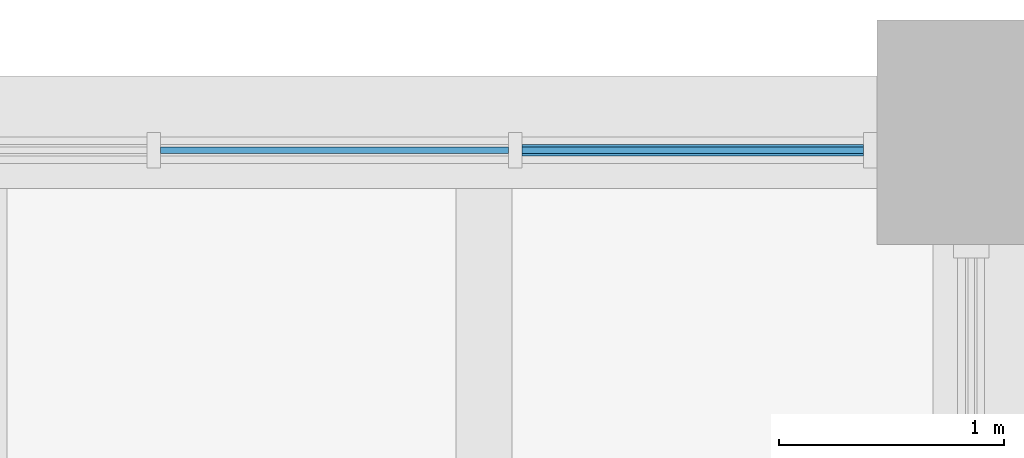
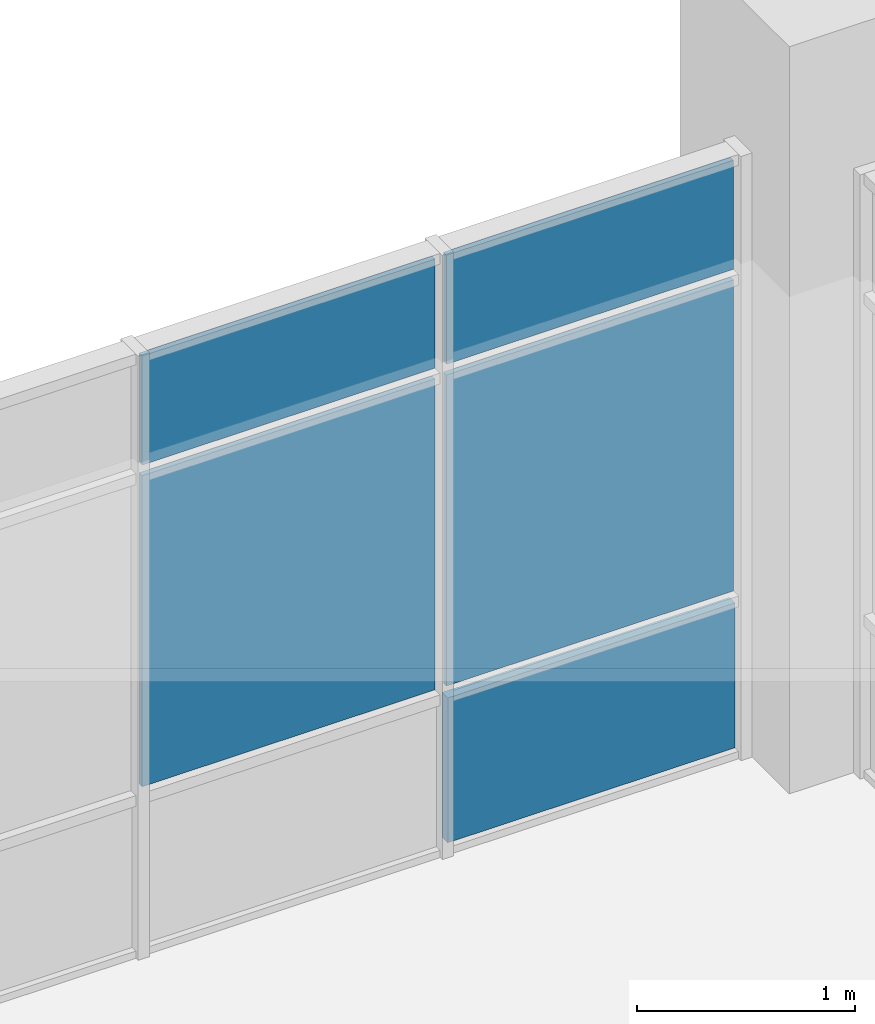
# One storey, part 40 of 74: 5 plates, 1 element without a shape of its own.
"""IFC4 building model written with IfcOpenShell, lengths in metres."""

import ifcopenshell
import ifcopenshell.guid

model = None  # the IFC model being written
_history = None  # IfcOwnerHistory: only IFC2X3 demands one
_inside = {}  # id of a spatial element -> (the spatial element, [elements in it])
_under = {}  # id of a project, library or spatial element -> (it, [spatial elements below it])
_declared = {}  # id of a project -> (the project, [libraries it declares])
_typed = {}  # id of a type object -> (the type object, [elements of that type])
_made_of = {}  # id of a material, layer set ... -> (it, [elements and type objects made of it])


def new_model(schema):
    """Start an empty IFC model of exactly this schema.

    Asked for "IFC4X3", IfcOpenShell would pick the latest addendum, in which some entities
    have other attributes; the version numbers below select the first issue.
    IFC2X3 requires an IfcOwnerHistory on every rooted entity: one is made here for all.
    """
    global model, _history
    if schema == "IFC4X3":
        model = ifcopenshell.file(schema_version=(4, 3, 0, 0))
    else:
        model = ifcopenshell.file(schema=schema)
    _inside.clear()
    _under.clear()
    _declared.clear()
    _typed.clear()
    _made_of.clear()
    _history = None
    if model.schema == "IFC2X3":
        org = make("IfcOrganization", Name="unknown")
        user = make(
            "IfcPersonAndOrganization",
            ThePerson=make("IfcPerson", FamilyName="unknown"),
            TheOrganization=org,
        )
        app = make(
            "IfcApplication",
            ApplicationDeveloper=org,
            Version="unknown",
            ApplicationFullName="unknown",
            ApplicationIdentifier="unknown",
        )
        _history = make(
            "IfcOwnerHistory",
            OwningUser=user,
            OwningApplication=app,
            ChangeAction="ADDED",
            CreationDate=0,
        )
    return model


def make(cls, **values):
    """One entity of the class cls with the attributes given. An attribute that is None is left unset."""
    return model.create_entity(
        cls, **{name: value for name, value in values.items() if value is not None}
    )


def rooted(cls, **values):
    """An entity with a GlobalId (a new one), such as an element, a storey or a relation."""
    return make(cls, GlobalId=ifcopenshell.guid.new(), OwnerHistory=_history, **values)


def si_unit(unit_type, name, prefix=None):
    """IfcSIUnit, for example si_unit("LENGTHUNIT", "METRE", prefix="MILLI")."""
    return make("IfcSIUnit", UnitType=unit_type, Prefix=prefix, Name=name)


def assignment(units):
    """IfcUnitAssignment: the units of a project."""
    return None if units is None else make("IfcUnitAssignment", Units=units)


def point(xyz):
    """IfcCartesianPoint."""
    return None if xyz is None else make("IfcCartesianPoint", Coordinates=xyz)


def direction(xyz):
    """IfcDirection."""
    return None if xyz is None else make("IfcDirection", DirectionRatios=xyz)


def frame(location, z_axis=None, x_axis=None):
    """IfcAxis2Placement3D, a coordinate frame: its origin and axes. An axis left out is left unset."""
    return make(
        "IfcAxis2Placement3D",
        Location=point(location),
        Axis=direction(z_axis),
        RefDirection=direction(x_axis),
    )


def frame_2d(location, x_axis=None):
    """IfcAxis2Placement2D, a coordinate frame in the plane: its origin and x axis."""
    return make(
        "IfcAxis2Placement2D", Location=point(location), RefDirection=direction(x_axis)
    )


def origin():
    """The frame at (0, 0, 0) with its axes left unset."""
    return frame((0.0, 0.0, 0.0))


def origin_2d():
    """The frame at (0, 0) in the plane with its x axis left unset."""
    return frame_2d((0.0, 0.0))


def place(relative_to, where):
    """IfcLocalPlacement: puts the frame where relative to a parent placement (None: the world)."""
    return make(
        "IfcLocalPlacement", PlacementRelTo=relative_to, RelativePlacement=where
    )


def context(
    kind, dimensions, precision=None, world=None, true_north=None, identifier=None
):
    """IfcGeometricRepresentationContext, for example the 3D "Model" context."""
    return make(
        "IfcGeometricRepresentationContext",
        ContextIdentifier=identifier,
        ContextType=kind,
        CoordinateSpaceDimension=dimensions,
        Precision=precision,
        WorldCoordinateSystem=world,
        TrueNorth=true_north,
    )


def subcontext(parent, identifier, kind, view, scale=None):
    """IfcGeometricRepresentationSubContext, for example "Body" below "Model"."""
    return make(
        "IfcGeometricRepresentationSubContext",
        ContextIdentifier=identifier,
        ContextType=kind,
        ParentContext=parent,
        TargetScale=scale,
        TargetView=view,
    )


def project(units=None, contexts=None):
    """IfcProject with its units and contexts."""
    return rooted(
        "IfcProject",
        Name="project",
        RepresentationContexts=contexts,
        UnitsInContext=assignment(units),
    )


def spatial(cls, under=None, at=None, **own):
    """A site, building, storey or space (cls), placed at a placement, below another one or the project."""
    s = rooted(cls, ObjectPlacement=at, **own)
    if under is not None:
        _under.setdefault(under.id(), (under, []))[1].append(s)
    return s


def profile(cls, at=None, kind="AREA", **sizes):
    """A parametric profile (cls). Its sizes go by their IFC names, for example OverallWidth=200.0."""
    return make(cls, ProfileType=kind, Position=at, **sizes)


def rectangle(**sizes):
    """IfcRectangleProfileDef."""
    return profile("IfcRectangleProfileDef", **sizes)


def extrude(swept, where, along, depth):
    """IfcExtrudedAreaSolid: the profile swept, set in the frame where, extruded along a direction by depth."""
    return make(
        "IfcExtrudedAreaSolid",
        SweptArea=swept,
        Position=where,
        ExtrudedDirection=direction(along),
        Depth=depth,
    )


def shape(context_of_items, identifier, shape_type, items):
    """IfcShapeRepresentation: the items that make up one representation, for example the "Body"."""
    return make(
        "IfcShapeRepresentation",
        ContextOfItems=context_of_items,
        RepresentationIdentifier=identifier,
        RepresentationType=shape_type,
        Items=items,
    )


def material(Name=None, Category=None):
    """IfcMaterial."""
    return make("IfcMaterial", Name=Name, Category=Category)


def layer(
    of_material, thickness, ventilated=None, Name=None, Category=None, Priority=None
):
    """IfcMaterialLayer: one layer of a wall or slab, of a material (None: an air gap)."""
    return make(
        "IfcMaterialLayer",
        Material=of_material,
        LayerThickness=thickness,
        IsVentilated=ventilated,
        Name=Name,
        Category=Category,
        Priority=Priority,
    )


def layer_set(layers, Name=None):
    """IfcMaterialLayerSet."""
    return make("IfcMaterialLayerSet", MaterialLayers=layers, LayerSetName=Name)


def made_of(thing, what):
    """Note that an element or type object is made of a material, layer set ...; save() writes the relation."""
    if what is not None:
        _made_of.setdefault(what.id(), (what, []))[1].append(thing)
    return thing


def type_object(cls, material=None, **own):
    """A type object (cls), such as IfcWallType, which elements share."""
    return made_of(rooted(cls, **own), material)


def element(
    cls,
    number,
    at=None,
    inside=None,
    cuts=None,
    type_object=None,
    material=None,
    context=None,
    identifier="Body",
    shape_type=None,
    held_by="IfcProductDefinitionShape",
    body=None,
    shapes=None,
    **own,
):
    """One element of the class cls, such as IfcWall. Its Tag is "e" and its number.

    at: its placement. inside: the storey or other place that contains it. cuts: it is an
    opening in that element (IfcRelVoidsElement). A single representation is given by context,
    identifier, shape_type and body (its items); several are given by shapes. held_by: the class
    of the entity that holds the representations. save() writes the other relations.
    """
    e = rooted(cls, Tag="e%d" % number, ObjectPlacement=at, **own)
    if body is not None:
        shapes = [shape(context, identifier, shape_type, body)]
    if shapes is not None:
        e.Representation = make(held_by, Representations=shapes)
    if inside is not None:
        _inside.setdefault(inside.id(), (inside, []))[1].append(e)
    if cuts is not None:
        rooted(
            "IfcRelVoidsElement", RelatingBuildingElement=cuts, RelatedOpeningElement=e
        )
    if type_object is not None:
        _typed.setdefault(type_object.id(), (type_object, []))[1].append(e)
    return made_of(e, material)


def aggregate(whole, parts):
    """IfcRelAggregates: a whole, such as a stair, and the parts it consists of."""
    return rooted("IfcRelAggregates", RelatingObject=whole, RelatedObjects=parts)


def save(model, path):
    """Write the relations noted so far, then the file.

    IfcRelAggregates (storeys below a building ...), IfcRelContainedInSpatialStructure (elements
    in a storey), IfcRelDefinesByType, IfcRelAssociatesMaterial and IfcRelDeclares: one each for
    every whole, place, type object, material and project.
    """
    for whole, parts in _under.values():
        aggregate(whole, parts)
    for where, things in _inside.values():
        rooted(
            "IfcRelContainedInSpatialStructure",
            RelatedElements=things,
            RelatingStructure=where,
        )
    for kind, things in _typed.values():
        rooted("IfcRelDefinesByType", RelatedObjects=things, RelatingType=kind)
    for what, things in _made_of.values():
        rooted("IfcRelAssociatesMaterial", RelatedObjects=things, RelatingMaterial=what)
    for by, libraries in _declared.values():
        rooted("IfcRelDeclares", RelatingContext=by, RelatedDefinitions=libraries)
    model.write(path)


model = new_model("IFC4")

# Units and contexts
model_context = context("Model", 3, precision=1e-05, world=origin(), true_north=direction((0.0, 1.0)))
body_context = subcontext(model_context, "Body", "Model", "MODEL_VIEW")
ifc_project = project(units=[si_unit("LENGTHUNIT", "METRE"), si_unit("AREAUNIT", "SQUARE_METRE"), si_unit("VOLUMEUNIT", "CUBIC_METRE"), si_unit("PLANEANGLEUNIT", "RADIAN"), si_unit("MASSUNIT", "GRAM", prefix="KILO")], contexts=[model_context])

# Site, building, storey
site_placement = place(None, origin())
site = spatial("IfcSite", under=ifc_project, at=site_placement, CompositionType="ELEMENT")
building_placement = place(site_placement, origin())
building = spatial("IfcBuilding", under=site, at=building_placement, Name="Merrow Basin Faculty of Sciences", CompositionType="ELEMENT")
storey_placement = place(building_placement, frame((0.0, 0.0, 13.5)))
storey = spatial("IfcBuildingStorey", under=building, at=storey_placement, Name="L03", CompositionType="ELEMENT", Elevation=13.5)

# Curtain wall, plates
ifc_material_1 = material(Name="Aluminium alloy 6063", Category="aluminium")
curtain_wall_type = type_object("IfcCurtainWallType", Name="Unitised curtain wall 160", PredefinedType="NOTDEFINED", material=ifc_material_1)
curtain_wall_placement = place(storey_placement, origin())
curtain_wall = element("IfcCurtainWall", 1, at=curtain_wall_placement, inside=storey, type_object=curtain_wall_type, Name="N curtain wall L03 7", PredefinedType="NOTDEFINED")
ifc_material_2 = material(Name="Insulated aluminium spandrel panel", Category="aluminium")
ifc_layer_1 = layer(ifc_material_2, 0.052001953125)
ifc_layer_set_1 = layer_set([ifc_layer_1], Name="Insulated spandrel panel 52")
plate_type_1 = type_object("IfcPlateType", Name="Insulated spandrel panel 52", PredefinedType="CURTAIN_PANEL", material=ifc_layer_set_1)
plate_1_placement = place(storey_placement, frame((52.679931640625, 168.919921875, 0.06005859375), z_axis=(0.0, 0.0, 1.0), x_axis=(1.0, 0.0, 0.0)))
plate_1 = element("IfcPlate", 2, at=plate_1_placement, type_object=plate_type_1, Name="CW3 panel 5.1", PredefinedType="CURTAIN_PANEL", context=body_context, shape_type="SweptSolid", body=[
    extrude(rectangle(XDim=1.52001953125, YDim=0.052001953125, at=origin_2d()), origin(), (0.0, 0.0, 1.0), 0.81005859375),
])
ifc_material_3 = material(Name="Low-E double glazing", Category="glass")
ifc_layer_2 = layer(ifc_material_3, 0.028076171875)
ifc_layer_set_2 = layer_set([ifc_layer_2], Name="Low-E double glazed panel 28")
plate_type_2 = type_object("IfcPlateType", Name="Low-E double glazed panel 28", PredefinedType="CURTAIN_PANEL", material=ifc_layer_set_2)
plate_2_placement = place(storey_placement, frame((51.0849609375, 168.919921875, 0.93017578125), z_axis=(0.0, 0.0, 1.0), x_axis=(1.0, 0.0, 0.0)))
plate_2 = element("IfcPlate", 3, at=plate_2_placement, type_object=plate_type_2, Name="CW3 panel 4.2", PredefinedType="CURTAIN_PANEL", context=body_context, shape_type="SweptSolid", body=[
    extrude(rectangle(XDim=1.550048828125, YDim=0.028076171875, at=origin_2d()), origin(), (0.0, 0.0, 1.0), 1.739990234375),
])
plate_3_placement = place(storey_placement, frame((51.0849609375, 168.919921875, 2.72998046875), z_axis=(0.0, 0.0, 1.0), x_axis=(1.0, 0.0, 0.0)))
plate_3 = element("IfcPlate", 4, at=plate_3_placement, type_object=plate_type_2, Name="CW3 panel 4.3", PredefinedType="CURTAIN_PANEL", context=body_context, shape_type="SweptSolid", body=[
    extrude(rectangle(XDim=1.550048828125, YDim=0.028076171875, at=origin_2d()), origin(), (0.0, 0.0, 1.0), 0.610107421875),
])
plate_4_placement = place(storey_placement, frame((52.679931640625, 168.919921875, 0.93017578125), z_axis=(0.0, 0.0, 1.0), x_axis=(1.0, 0.0, 0.0)))
plate_4 = element("IfcPlate", 5, at=plate_4_placement, type_object=plate_type_2, Name="CW3 panel 5.2", PredefinedType="CURTAIN_PANEL", context=body_context, shape_type="SweptSolid", body=[
    extrude(rectangle(XDim=1.52001953125, YDim=0.028076171875, at=origin_2d()), origin(), (0.0, 0.0, 1.0), 1.739990234375),
])
plate_5_placement = place(storey_placement, frame((52.679931640625, 168.919921875, 2.72998046875), z_axis=(0.0, 0.0, 1.0), x_axis=(1.0, 0.0, 0.0)))
plate_5 = element("IfcPlate", 6, at=plate_5_placement, type_object=plate_type_2, Name="CW3 panel 5.3", PredefinedType="CURTAIN_PANEL", context=body_context, shape_type="SweptSolid", body=[
    extrude(rectangle(XDim=1.52001953125, YDim=0.028076171875, at=origin_2d()), origin(), (0.0, 0.0, 1.0), 0.610107421875),
])
aggregate(curtain_wall, [plate_2, plate_3, plate_1, plate_4, plate_5])

save(model, "model.ifc")
